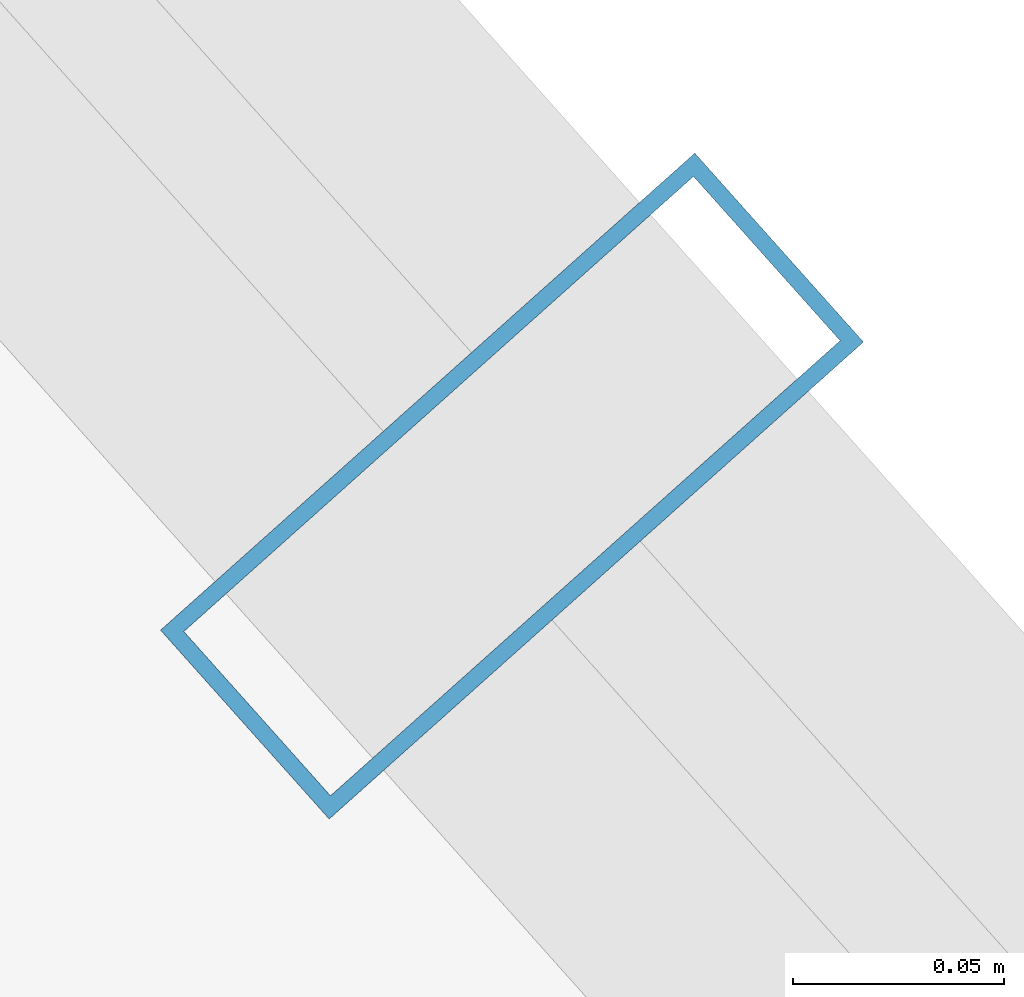
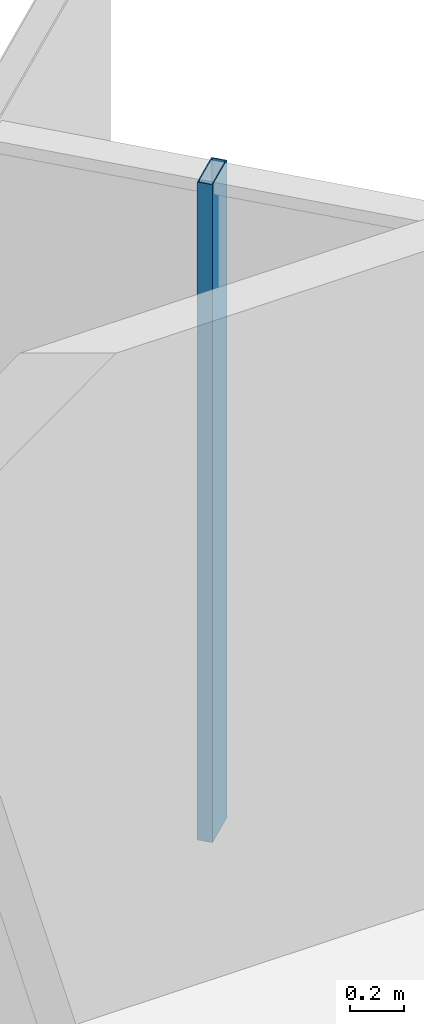
# One storey, part 31 of 38: 1 member, 1 element without a shape of its own.
"""IFC4 building model written with IfcOpenShell, lengths in metres."""

from ifc_helpers import new_model, si_unit, direction, frame, origin, origin_2d, place, context, subcontext, project, spatial, hollow_rectangle, extrude, source, transform, mapped, material, layer, layer_set, material_profile, profile_set, type_object, element, aggregate, save


model = new_model("IFC4")

# Units and contexts
model_context = context("Model", 3, precision=1e-05, world=origin(), true_north=direction((0.0, 1.0)))
body_context = subcontext(model_context, "Body", "Model", "MODEL_VIEW")
ifc_project = project(units=[si_unit("LENGTHUNIT", "METRE"), si_unit("AREAUNIT", "SQUARE_METRE"), si_unit("VOLUMEUNIT", "CUBIC_METRE"), si_unit("PLANEANGLEUNIT", "RADIAN"), si_unit("MASSUNIT", "GRAM", prefix="KILO")], contexts=[model_context])

# Site, building, storey
site_placement = place(None, origin())
site = spatial("IfcSite", under=ifc_project, at=site_placement, CompositionType="ELEMENT")
building_placement = place(site_placement, origin())
building = spatial("IfcBuilding", under=site, at=building_placement, Name="Veraguas Prism Commons", CompositionType="ELEMENT")
storey_placement = place(building_placement, frame((0.0, 0.0, 64.10009765625)))
storey = spatial("IfcBuildingStorey", under=building, at=storey_placement, Name="L17", CompositionType="ELEMENT", Elevation=64.10009765625)

# Curtain wall, member
ifc_material = material(Name="Anodised aluminium EN AW-6063 T6", Category="aluminium")
ifc_layer = layer(ifc_material, 0.169921875, Name="Unitised Flush Curtain Wall Zone 1", Category="aluminium")
ifc_layer_set = layer_set([ifc_layer], Name="Anodised aluminium EN AW-6063 T6")
curtain_wall_type = type_object("IfcCurtainWallType", Name="Unitised Flush Curtain Wall Zone 1", PredefinedType="NOTDEFINED", material=ifc_layer_set)
curtain_wall_placement = place(storey_placement, origin())
curtain_wall = element("IfcCurtainWall", 1, at=curtain_wall_placement, inside=storey, type_object=curtain_wall_type, Name="Tower Facade Curtain Wall L17-F1", PredefinedType="NOTDEFINED")
ifc_material_profile = material_profile(ifc_material, hollow_rectangle(XDim=0.06005859375, YDim=0.169921875, WallThickness=0.00390625, at=origin_2d()), Name="AL60X170X4")
ifc_profile_set = profile_set([ifc_material_profile], Name="Anodised aluminium EN AW-6063 T6")
member_type = type_object("IfcMemberType", Name="Curtain Wall Mullion Lower AL 60x170x4", PredefinedType="MULLION", material=ifc_profile_set)
shared_shape = source(origin(), body_context, "Body", "SweptSolid", [
    extrude(hollow_rectangle(XDim=0.06005859375, YDim=0.169921875, WallThickness=0.00390625, at=origin_2d()), origin(), (0.0, 0.0, 1.0), 3.0),
])
member_placement = place(storey_placement, frame((42.614990234375, 34.358642578125, 0.0), z_axis=(0.0, 0.0, 1.0), x_axis=(-0.666011867434, 0.745941145424, 0.0)))
member = element("IfcMember", 2, at=member_placement, type_object=member_type, Name="CW-Z1 Mullion 2", PredefinedType="MULLION", context=body_context, shape_type="MappedRepresentation", body=[
    mapped(shared_shape, transform((0.0, 0.0, 0.0), scale=1.0)),
])
aggregate(curtain_wall, [member])

save(model, "model.ifc")
